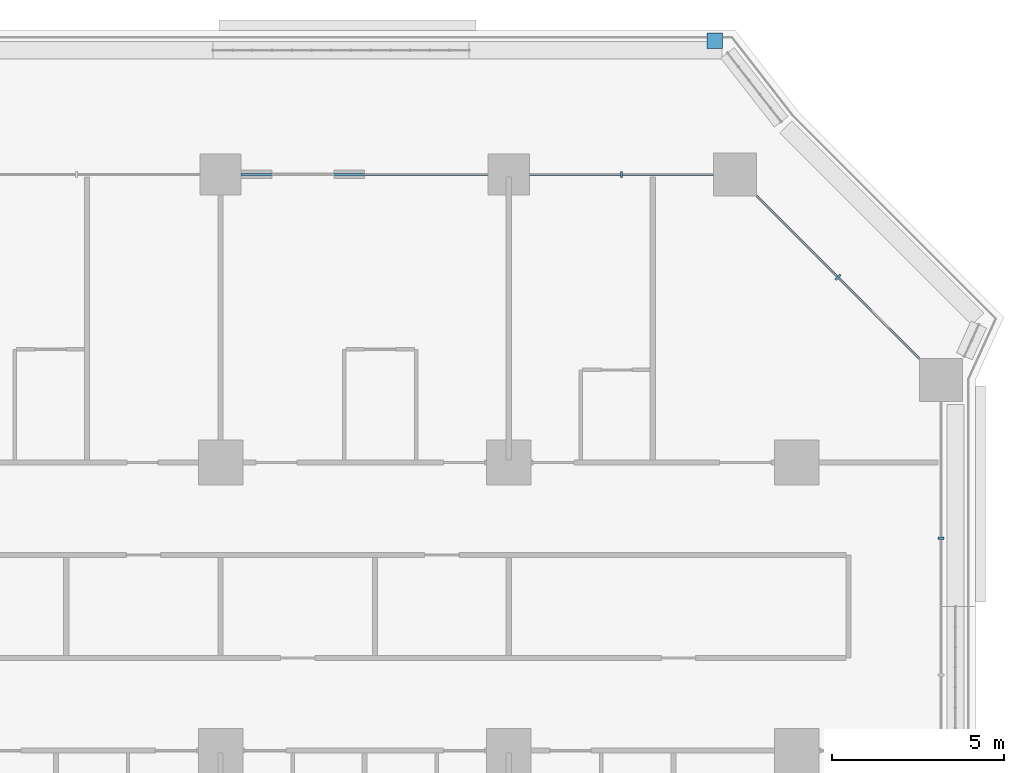
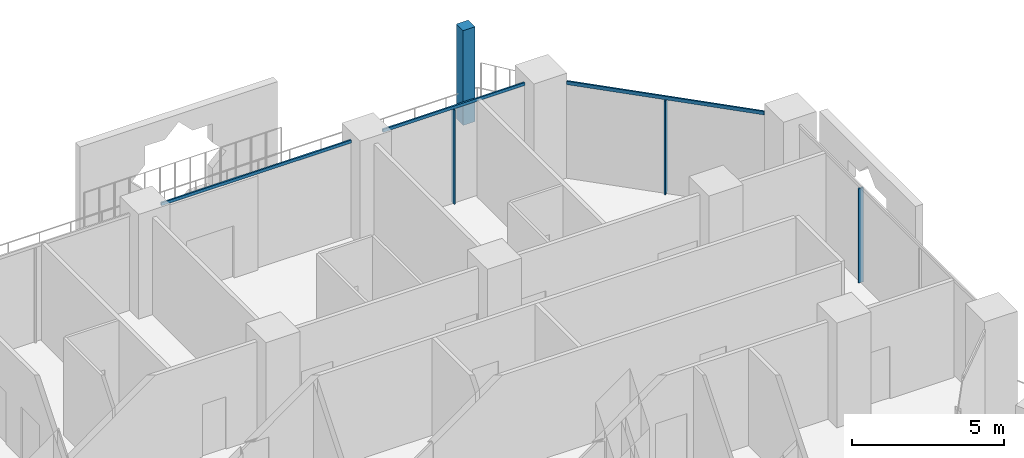
# One storey, part 10 of 29: 7 members, 4 elements without a shape of their own.
"""IFC4 building model written with IfcOpenShell, lengths in metres."""

from ifc_helpers import new_model, si_unit, direction, frame, origin, origin_2d, place, context, subcontext, project, spatial, rectangle, extrude, material, layer, layer_set, material_profile, profile_set, type_object, element, aggregate, save


model = new_model("IFC4")

# Units and contexts
model_context = context("Model", 3, precision=1e-05, world=origin(), true_north=direction((0.0, 1.0)))
body_context = subcontext(model_context, "Body", "Model", "MODEL_VIEW")
ifc_project = project(units=[si_unit("LENGTHUNIT", "METRE"), si_unit("AREAUNIT", "SQUARE_METRE"), si_unit("VOLUMEUNIT", "CUBIC_METRE"), si_unit("PLANEANGLEUNIT", "RADIAN"), si_unit("MASSUNIT", "GRAM", prefix="KILO")], contexts=[model_context])

# Site, building, storey
site_placement = place(None, origin())
site = spatial("IfcSite", under=ifc_project, at=site_placement, CompositionType="ELEMENT")
building_placement = place(site_placement, origin())
building = spatial("IfcBuilding", under=site, at=building_placement, Name="Kawkab Arch Medical Tower", CompositionType="ELEMENT")
storey_placement = place(building_placement, frame((0.0, 0.0, 64.39990234375)))
storey = spatial("IfcBuildingStorey", under=building, at=storey_placement, Name="L14", CompositionType="ELEMENT", Elevation=64.39990234375)

# Curtain wall, member
ifc_material_1 = material(Name="Bronze anodised aluminium curtain wall frame", Category="aluminium")
ifc_layer_1 = layer(ifc_material_1, 0.159912109375)
ifc_layer_set_1 = layer_set([ifc_layer_1], Name="Bronze anodised aluminium curtain wall frame")
curtain_wall_type_1 = type_object("IfcCurtainWallType", Name="CW1 ward curtain wall", PredefinedType="NOTDEFINED", material=ifc_layer_set_1)
placement = place(storey_placement, origin())
curtain_wall_1 = element("IfcCurtainWall", 1, at=placement, inside=storey, type_object=curtain_wall_type_1, Name="CW1 Ward curtain wall R09", PredefinedType="NOTDEFINED")
ifc_material_2 = material(Name="Bronze anodised aluminium curtain wall frame", Category="aluminium")
ifc_material_profile_1 = material_profile(ifc_material_2, rectangle(XDim=0.179931640625, YDim=0.06005859375, at=origin_2d()), Name="AL 60x180")
ifc_profile_set_1 = profile_set([ifc_material_profile_1], Name="Bronze anodised aluminium curtain wall frame")
member_type_1 = type_object("IfcMemberType", Name="CW1 mullion 60 x 180", PredefinedType="MULLION", material=ifc_profile_set_1)
member_1_placement = place(storey_placement, frame((79.800048828125, -10.6083984375, 0.0), z_axis=(0.0, 0.0, 1.0), x_axis=(-1.0, 0.0, 0.0)))
member_1 = element("IfcMember", 2, at=member_1_placement, type_object=member_type_1, Name="CW1 mullion 1.2", PredefinedType="MULLION", context=body_context, shape_type="SweptSolid", body=[
    extrude(rectangle(XDim=0.179931640625, YDim=0.06005859375, at=origin_2d()), origin(), (0.0, 0.0, 1.0), 3.780029296875),
])
aggregate(curtain_wall_1, [member_1])

# Curtain wall, members
curtain_wall_2 = element("IfcCurtainWall", 3, at=placement, inside=storey, type_object=curtain_wall_type_1, Name="CW1 Ward curtain wall R11", PredefinedType="NOTDEFINED")
member_2_placement = place(storey_placement, frame((70.487548828125, 0.0, 0.0), z_axis=(0.0, 0.0, 1.0), x_axis=(0.0, -1.0, 0.0)))
member_2 = element("IfcMember", 4, at=member_2_placement, type_object=member_type_1, Name="CW1 mullion 1.1", PredefinedType="MULLION", context=body_context, shape_type="SweptSolid", body=[
    extrude(rectangle(XDim=0.179931640625, YDim=0.06005859375, at=origin_2d()), origin(), (0.0, 0.0, 1.0), 3.780029296875),
])
ifc_material_3 = material(Name="Bronze anodised aluminium curtain wall frame", Category="aluminium")
ifc_material_profile_2 = material_profile(ifc_material_3, rectangle(XDim=0.06005859375, YDim=0.1201171875, at=origin_2d()), Name="AL 60x120")
ifc_profile_set_2 = profile_set([ifc_material_profile_2], Name="Bronze anodised aluminium curtain wall frame")
member_type_2 = type_object("IfcMemberType", Name="CW1 transom 120 x 60", PredefinedType="USERDEFINED", material=ifc_profile_set_2)
member_3_placement = place(storey_placement, frame((73.175048828125, 0.0, 3.840087890625), z_axis=(-1.0, 0.0, 0.0), x_axis=(0.0, -1.0, 0.0)))
member_3 = element("IfcMember", 5, at=member_3_placement, type_object=member_type_2, Name="CW1 transom 1", ObjectType="TRANSOM", PredefinedType="USERDEFINED", context=body_context, shape_type="SweptSolid", body=[
    extrude(rectangle(XDim=0.06005859375, YDim=0.1201171875, at=origin_2d()), origin(), (0.0, 0.0, 1.0), 5.375),
])
member_4_placement = place(storey_placement, frame((66.60009765625, 0.0, 3.840087890625), z_axis=(-1.0, 0.0, 0.0), x_axis=(0.0, -1.0, 0.0)))
member_4 = element("IfcMember", 6, at=member_4_placement, type_object=member_type_2, Name="CW1 transom 2", ObjectType="TRANSOM", PredefinedType="USERDEFINED", context=body_context, shape_type="SweptSolid", body=[
    extrude(rectangle(XDim=0.06005859375, YDim=0.1201171875, at=origin_2d()), origin(), (0.0, 0.0, 1.0), 7.2001953125),
])
aggregate(curtain_wall_2, [member_3, member_2, member_4])

ifc_material_4 = material(Name="Bronze anodised aluminium curtain wall frame", Category="aluminium")
ifc_layer_2 = layer(ifc_material_4, 0.159912109375)
ifc_layer_set_2 = layer_set([ifc_layer_2], Name="Bronze anodised aluminium curtain wall frame")
curtain_wall_type_2 = type_object("IfcCurtainWallType", Name="CW2 chamfer curtain wall", PredefinedType="NOTDEFINED", material=ifc_layer_set_2)
curtain_wall_3 = element("IfcCurtainWall", 7, at=placement, inside=storey, type_object=curtain_wall_type_2, Name="CW2 Chamfer curtain wall R10", PredefinedType="NOTDEFINED")
ifc_material_5 = material(Name="Bronze anodised aluminium curtain wall frame", Category="aluminium")
ifc_material_profile_3 = material_profile(ifc_material_5, rectangle(XDim=0.199951171875, YDim=0.06005859375, at=origin_2d()), Name="AL 60x200")
ifc_profile_set_3 = profile_set([ifc_material_profile_3], Name="Bronze anodised aluminium curtain wall frame")
member_type_3 = type_object("IfcMemberType", Name="CW2 mullion 60 x 200", PredefinedType="MULLION", material=ifc_profile_set_3)
member_5_placement = place(storey_placement, frame((76.800048828125, -3.0, 0.0), z_axis=(0.0, 0.0, 1.0), x_axis=(-0.707106781187, -0.707106781187, 0.0)))
member_5 = element("IfcMember", 8, at=member_5_placement, type_object=member_type_3, Name="CW2 mullion 1.1", PredefinedType="MULLION", context=body_context, shape_type="SweptSolid", body=[
    extrude(rectangle(XDim=0.199951171875, YDim=0.06005859375, at=origin_2d()), origin(), (0.0, 0.0, 1.0), 3.760009765625),
])
ifc_material_6 = material(Name="Bronze anodised aluminium curtain wall frame", Category="aluminium")
ifc_material_profile_4 = material_profile(ifc_material_6, rectangle(XDim=0.06005859375, YDim=0.139892578125, at=origin_2d()), Name="AL 60x140")
ifc_profile_set_4 = profile_set([ifc_material_profile_4], Name="Bronze anodised aluminium curtain wall frame")
member_type_4 = type_object("IfcMemberType", Name="CW2 transom 140 x 60", PredefinedType="USERDEFINED", material=ifc_profile_set_4)
member_6_placement = place(storey_placement, frame((79.175048828125, -5.375, 3.830078125), z_axis=(-0.707106781187, 0.707106781187, 0.0), x_axis=(-0.707106781187, -0.707106781187, 0.0)))
member_6 = element("IfcMember", 9, at=member_6_placement, type_object=member_type_4, Name="CW2 transom 1", ObjectType="TRANSOM", PredefinedType="USERDEFINED", context=body_context, shape_type="SweptSolid", body=[
    extrude(rectangle(XDim=0.06005859375, YDim=0.139892578125, at=origin_2d()), origin(), (0.0, 0.0, 1.0), 6.717529296875),
])
aggregate(curtain_wall_3, [member_6, member_5])

# Curtain wall, member
ifc_material_7 = material(Name="Bronze anodised aluminium climber frame, planted", Category="aluminium")
ifc_layer_3 = layer(ifc_material_7, 0.449951171875)
ifc_layer_set_3 = layer_set([ifc_layer_3], Name="Bronze anodised aluminium climber frame, planted")
curtain_wall_type_3 = type_object("IfcCurtainWallType", Name="Planted climber frame", PredefinedType="NOTDEFINED", material=ifc_layer_set_3)
curtain_wall_4 = element("IfcCurtainWall", 10, at=placement, inside=storey, type_object=curtain_wall_type_3, Name="Planted climber frame L14", PredefinedType="NOTDEFINED")
ifc_material_8 = material(Name="Bronze anodised aluminium climber frame, planted", Category="aluminium")
ifc_material_profile_5 = material_profile(ifc_material_8, rectangle(XDim=0.449951171875, YDim=0.449951171875, at=origin_2d()), Name="Post 450x450")
ifc_profile_set_5 = profile_set([ifc_material_profile_5], Name="Bronze anodised aluminium climber frame, planted")
member_type_5 = type_object("IfcMemberType", Name="Planted climber post 450 x 450", PredefinedType="MULLION", material=ifc_profile_set_5)
member_7_placement = place(storey_placement, frame((73.202880859375, 3.89990234375, 0.0), z_axis=(0.0, 0.0, 1.0), x_axis=(1.0, 0.0, 0.0)))
member_7 = element("IfcMember", 11, at=member_7_placement, type_object=member_type_5, Name="Planted climber post L14.LOG-01-01.4", PredefinedType="MULLION", context=body_context, shape_type="SweptSolid", body=[
    extrude(rectangle(XDim=0.449951171875, YDim=0.449951171875, at=origin_2d()), origin(), (0.0, 0.0, 1.0), 3.800048828125),
])
aggregate(curtain_wall_4, [member_7])

save(model, "model.ifc")
